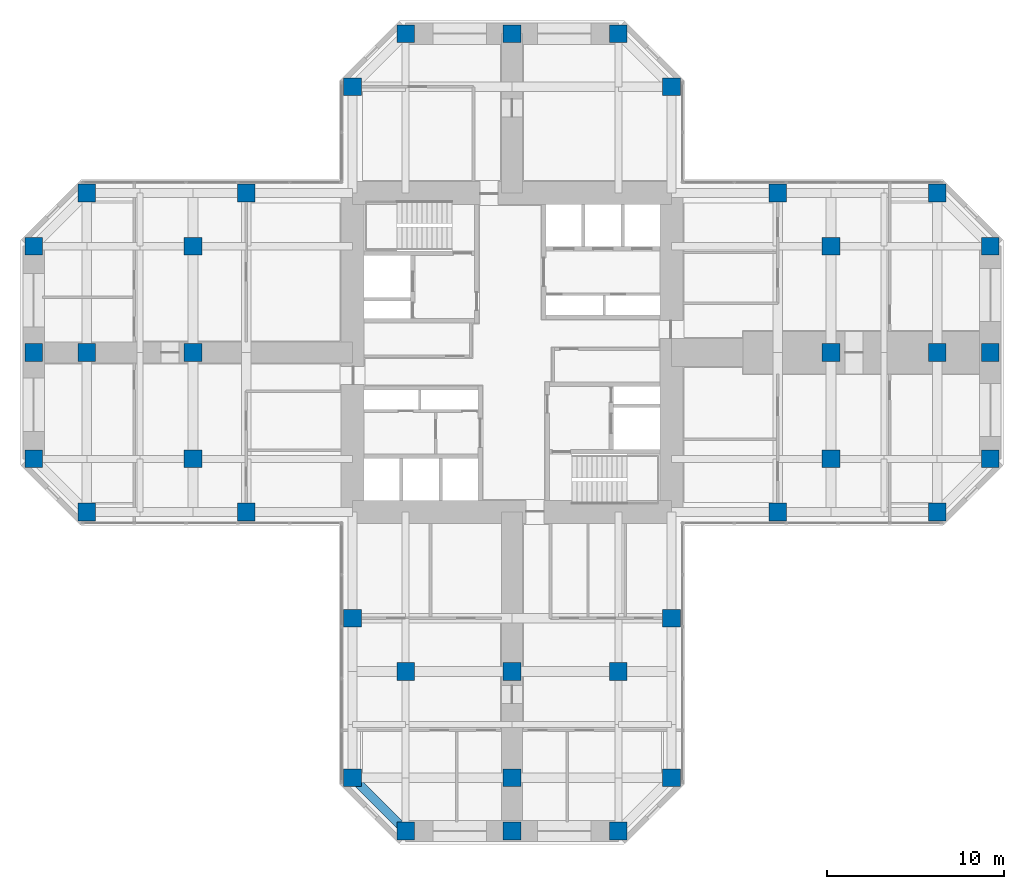
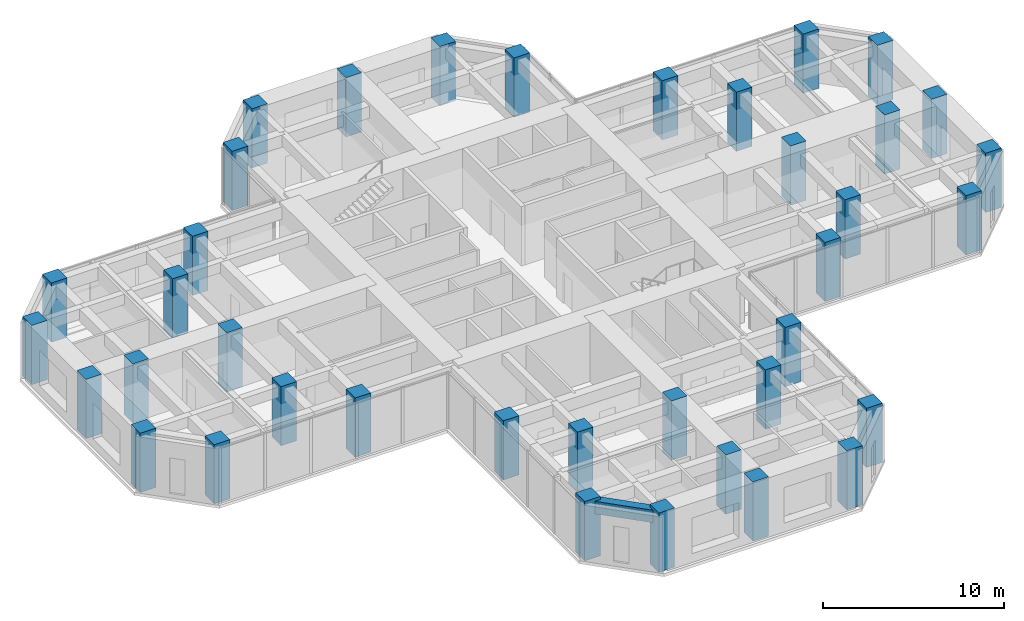
# One storey, part 1 of 13: 38 columns, 1 beam.
"""IFC4 building model written with IfcOpenShell, lengths in metres."""

import ifcopenshell
import ifcopenshell.guid

model = None  # the IFC model being written
_history = None  # IfcOwnerHistory: only IFC2X3 demands one
_inside = {}  # id of a spatial element -> (the spatial element, [elements in it])
_under = {}  # id of a project, library or spatial element -> (it, [spatial elements below it])
_declared = {}  # id of a project -> (the project, [libraries it declares])
_typed = {}  # id of a type object -> (the type object, [elements of that type])
_made_of = {}  # id of a material, layer set ... -> (it, [elements and type objects made of it])


def new_model(schema):
    """Start an empty IFC model of exactly this schema.

    Asked for "IFC4X3", IfcOpenShell would pick the latest addendum, in which some entities
    have other attributes; the version numbers below select the first issue.
    IFC2X3 requires an IfcOwnerHistory on every rooted entity: one is made here for all.
    """
    global model, _history
    if schema == "IFC4X3":
        model = ifcopenshell.file(schema_version=(4, 3, 0, 0))
    else:
        model = ifcopenshell.file(schema=schema)
    _inside.clear()
    _under.clear()
    _declared.clear()
    _typed.clear()
    _made_of.clear()
    _history = None
    if model.schema == "IFC2X3":
        org = make("IfcOrganization", Name="unknown")
        user = make(
            "IfcPersonAndOrganization",
            ThePerson=make("IfcPerson", FamilyName="unknown"),
            TheOrganization=org,
        )
        app = make(
            "IfcApplication",
            ApplicationDeveloper=org,
            Version="unknown",
            ApplicationFullName="unknown",
            ApplicationIdentifier="unknown",
        )
        _history = make(
            "IfcOwnerHistory",
            OwningUser=user,
            OwningApplication=app,
            ChangeAction="ADDED",
            CreationDate=0,
        )
    return model


def make(cls, **values):
    """One entity of the class cls with the attributes given. An attribute that is None is left unset."""
    return model.create_entity(
        cls, **{name: value for name, value in values.items() if value is not None}
    )


def rooted(cls, **values):
    """An entity with a GlobalId (a new one), such as an element, a storey or a relation."""
    return make(cls, GlobalId=ifcopenshell.guid.new(), OwnerHistory=_history, **values)


def si_unit(unit_type, name, prefix=None):
    """IfcSIUnit, for example si_unit("LENGTHUNIT", "METRE", prefix="MILLI")."""
    return make("IfcSIUnit", UnitType=unit_type, Prefix=prefix, Name=name)


def assignment(units):
    """IfcUnitAssignment: the units of a project."""
    return None if units is None else make("IfcUnitAssignment", Units=units)


def point(xyz):
    """IfcCartesianPoint."""
    return None if xyz is None else make("IfcCartesianPoint", Coordinates=xyz)


def direction(xyz):
    """IfcDirection."""
    return None if xyz is None else make("IfcDirection", DirectionRatios=xyz)


def frame(location, z_axis=None, x_axis=None):
    """IfcAxis2Placement3D, a coordinate frame: its origin and axes. An axis left out is left unset."""
    return make(
        "IfcAxis2Placement3D",
        Location=point(location),
        Axis=direction(z_axis),
        RefDirection=direction(x_axis),
    )


def frame_2d(location, x_axis=None):
    """IfcAxis2Placement2D, a coordinate frame in the plane: its origin and x axis."""
    return make(
        "IfcAxis2Placement2D", Location=point(location), RefDirection=direction(x_axis)
    )


def origin():
    """The frame at (0, 0, 0) with its axes left unset."""
    return frame((0.0, 0.0, 0.0))


def origin_2d():
    """The frame at (0, 0) in the plane with its x axis left unset."""
    return frame_2d((0.0, 0.0))


def place(relative_to, where):
    """IfcLocalPlacement: puts the frame where relative to a parent placement (None: the world)."""
    return make(
        "IfcLocalPlacement", PlacementRelTo=relative_to, RelativePlacement=where
    )


def context(
    kind, dimensions, precision=None, world=None, true_north=None, identifier=None
):
    """IfcGeometricRepresentationContext, for example the 3D "Model" context."""
    return make(
        "IfcGeometricRepresentationContext",
        ContextIdentifier=identifier,
        ContextType=kind,
        CoordinateSpaceDimension=dimensions,
        Precision=precision,
        WorldCoordinateSystem=world,
        TrueNorth=true_north,
    )


def subcontext(parent, identifier, kind, view, scale=None):
    """IfcGeometricRepresentationSubContext, for example "Body" below "Model"."""
    return make(
        "IfcGeometricRepresentationSubContext",
        ContextIdentifier=identifier,
        ContextType=kind,
        ParentContext=parent,
        TargetScale=scale,
        TargetView=view,
    )


def project(units=None, contexts=None):
    """IfcProject with its units and contexts."""
    return rooted(
        "IfcProject",
        Name="project",
        RepresentationContexts=contexts,
        UnitsInContext=assignment(units),
    )


def spatial(cls, under=None, at=None, **own):
    """A site, building, storey or space (cls), placed at a placement, below another one or the project."""
    s = rooted(cls, ObjectPlacement=at, **own)
    if under is not None:
        _under.setdefault(under.id(), (under, []))[1].append(s)
    return s


def profile(cls, at=None, kind="AREA", **sizes):
    """A parametric profile (cls). Its sizes go by their IFC names, for example OverallWidth=200.0."""
    return make(cls, ProfileType=kind, Position=at, **sizes)


def rectangle(**sizes):
    """IfcRectangleProfileDef."""
    return profile("IfcRectangleProfileDef", **sizes)


def extrude(swept, where, along, depth):
    """IfcExtrudedAreaSolid: the profile swept, set in the frame where, extruded along a direction by depth."""
    return make(
        "IfcExtrudedAreaSolid",
        SweptArea=swept,
        Position=where,
        ExtrudedDirection=direction(along),
        Depth=depth,
    )


def shape(context_of_items, identifier, shape_type, items):
    """IfcShapeRepresentation: the items that make up one representation, for example the "Body"."""
    return make(
        "IfcShapeRepresentation",
        ContextOfItems=context_of_items,
        RepresentationIdentifier=identifier,
        RepresentationType=shape_type,
        Items=items,
    )


def material(Name=None, Category=None):
    """IfcMaterial."""
    return make("IfcMaterial", Name=Name, Category=Category)


def material_profile(
    of_material, cross_section, Name=None, Category=None, Priority=None
):
    """IfcMaterialProfile: a cross section and its material."""
    return make(
        "IfcMaterialProfile",
        Name=Name,
        Material=of_material,
        Profile=cross_section,
        Priority=Priority,
        Category=Category,
    )


def profile_set(profiles, Name=None, composite=None):
    """IfcMaterialProfileSet."""
    return make(
        "IfcMaterialProfileSet",
        Name=Name,
        MaterialProfiles=profiles,
        CompositeProfile=composite,
    )


def made_of(thing, what):
    """Note that an element or type object is made of a material, layer set ...; save() writes the relation."""
    if what is not None:
        _made_of.setdefault(what.id(), (what, []))[1].append(thing)
    return thing


def type_object(cls, material=None, **own):
    """A type object (cls), such as IfcWallType, which elements share."""
    return made_of(rooted(cls, **own), material)


def element(
    cls,
    number,
    at=None,
    inside=None,
    cuts=None,
    type_object=None,
    material=None,
    context=None,
    identifier="Body",
    shape_type=None,
    held_by="IfcProductDefinitionShape",
    body=None,
    shapes=None,
    **own,
):
    """One element of the class cls, such as IfcWall. Its Tag is "e" and its number.

    at: its placement. inside: the storey or other place that contains it. cuts: it is an
    opening in that element (IfcRelVoidsElement). A single representation is given by context,
    identifier, shape_type and body (its items); several are given by shapes. held_by: the class
    of the entity that holds the representations. save() writes the other relations.
    """
    e = rooted(cls, Tag="e%d" % number, ObjectPlacement=at, **own)
    if body is not None:
        shapes = [shape(context, identifier, shape_type, body)]
    if shapes is not None:
        e.Representation = make(held_by, Representations=shapes)
    if inside is not None:
        _inside.setdefault(inside.id(), (inside, []))[1].append(e)
    if cuts is not None:
        rooted(
            "IfcRelVoidsElement", RelatingBuildingElement=cuts, RelatedOpeningElement=e
        )
    if type_object is not None:
        _typed.setdefault(type_object.id(), (type_object, []))[1].append(e)
    return made_of(e, material)


def aggregate(whole, parts):
    """IfcRelAggregates: a whole, such as a stair, and the parts it consists of."""
    return rooted("IfcRelAggregates", RelatingObject=whole, RelatedObjects=parts)


def save(model, path):
    """Write the relations noted so far, then the file.

    IfcRelAggregates (storeys below a building ...), IfcRelContainedInSpatialStructure (elements
    in a storey), IfcRelDefinesByType, IfcRelAssociatesMaterial and IfcRelDeclares: one each for
    every whole, place, type object, material and project.
    """
    for whole, parts in _under.values():
        aggregate(whole, parts)
    for where, things in _inside.values():
        rooted(
            "IfcRelContainedInSpatialStructure",
            RelatedElements=things,
            RelatingStructure=where,
        )
    for kind, things in _typed.values():
        rooted("IfcRelDefinesByType", RelatedObjects=things, RelatingType=kind)
    for what, things in _made_of.values():
        rooted("IfcRelAssociatesMaterial", RelatedObjects=things, RelatingMaterial=what)
    for by, libraries in _declared.values():
        rooted("IfcRelDeclares", RelatingContext=by, RelatedDefinitions=libraries)
    model.write(path)


model = new_model("IFC4")

# Units and contexts
model_context = context("Model", 3, precision=1e-05, world=origin(), true_north=direction((0.0, 1.0)))
body_context = subcontext(model_context, "Body", "Model", "MODEL_VIEW")
ifc_project = project(units=[si_unit("LENGTHUNIT", "METRE"), si_unit("AREAUNIT", "SQUARE_METRE"), si_unit("VOLUMEUNIT", "CUBIC_METRE"), si_unit("PLANEANGLEUNIT", "RADIAN"), si_unit("MASSUNIT", "GRAM", prefix="KILO")], contexts=[model_context])

# Site, building, storey
site_placement = place(None, origin())
site = spatial("IfcSite", under=ifc_project, at=site_placement, CompositionType="ELEMENT")
building_placement = place(site_placement, origin())
building = spatial("IfcBuilding", under=site, at=building_placement, Name="Torre Cruceta", CompositionType="ELEMENT")
storey_placement = place(building_placement, frame((0.0, 0.0, 156.5)))
storey = spatial("IfcBuildingStorey", under=building, at=storey_placement, Name="L38", CompositionType="ELEMENT", Elevation=156.5)

# Columns
ifc_material_1 = material(Name="Concrete G60 (fck 60 MPa)", Category="concrete")
ifc_material_profile_1 = material_profile(ifc_material_1, rectangle(XDim=1.0, YDim=1.0, at=origin_2d()), Name="RC 1000X1000")
ifc_profile_set_1 = profile_set([ifc_material_profile_1], Name="Concrete G60 (fck 60 MPa)")
column_type = type_object("IfcColumnType", Name="COLUMN RC 1000X1000", PredefinedType="COLUMN", material=ifc_profile_set_1)
for number, where, z_axis, x_axis, name in (
    (1, (9.0, 15.0, 0.0), (0.0, 0.0, 1.0), (1.0, 0.0, 0.0), "C5 L38 N chamfer"),
    (2, (-9.0, 15.0, 0.0), (0.0, 0.0, 1.0), (1.0, 0.0, 0.0), "C5 L38 N chamfer"),
    (3, (6.0, 18.0, 0.0), (0.0, 0.0, 1.0), (1.0, 0.0, 0.0), "C5 L38 N tip"),
    (4, (0.0, 18.0, 0.0), (0.0, 0.0, 1.0), (1.0, 0.0, 0.0), "C5 L38 N tip"),
    (5, (-6.0, 18.0, 0.0), (0.0, 0.0, 1.0), (1.0, 0.0, 0.0), "C5 L38 N tip"),
    (6, (15.0, -9.0, 0.0), (0.0, 0.0, 1.0), (1.0, 0.0, 0.0), "C5 L38 E side"),
    (7, (24.0, -9.0, 0.0), (0.0, 0.0, 1.0), (1.0, 0.0, 0.0), "C5 L38 E chamfer"),
    (8, (15.0, 9.0, 0.0), (0.0, 0.0, 1.0), (1.0, 0.0, 0.0), "C5 L38 E side"),
    (9, (24.0, 9.0, 0.0), (0.0, 0.0, 1.0), (1.0, 0.0, 0.0), "C5 L38 E chamfer"),
    (10, (27.0, -6.0, 0.0), (0.0, 0.0, 1.0), (1.0, 0.0, 0.0), "C5 L38 E tip"),
    (11, (27.0, 0.0, 0.0), (0.0, 0.0, 1.0), (1.0, 0.0, 0.0), "C5 L38 E tip"),
    (12, (27.0, 6.0, 0.0), (0.0, 0.0, 1.0), (1.0, 0.0, 0.0), "C5 L38 E tip"),
    (13, (-9.0, -15.0, 0.0), (0.0, 0.0, 1.0), (1.0, 0.0, 0.0), "C5 L38 S side"),
    (14, (-9.0, -24.0, 0.0), (0.0, 0.0, 1.0), (1.0, 0.0, 0.0), "C5 L38 S chamfer"),
    (15, (9.0, -15.0, 0.0), (0.0, 0.0, 1.0), (1.0, 0.0, 0.0), "C5 L38 S side"),
    (16, (9.0, -24.0, 0.0), (0.0, 0.0, 1.0), (1.0, 0.0, 0.0), "C5 L38 S chamfer"),
    (17, (-6.0, -27.0, 0.0), (0.0, 0.0, 1.0), (1.0, 0.0, 0.0), "C5 L38 S tip"),
    (18, (0.0, -27.0, 0.0), (0.0, 0.0, 1.0), (1.0, 0.0, 0.0), "C5 L38 S tip"),
    (19, (6.0, -27.0, 0.0), (0.0, 0.0, 1.0), (1.0, 0.0, 0.0), "C5 L38 S tip"),
    (20, (-15.0, 9.0, 0.0), (0.0, 0.0, 1.0), (1.0, 0.0, 0.0), "C5 L38 W side"),
    (21, (-24.0, 9.0, 0.0), (0.0, 0.0, 1.0), (1.0, 0.0, 0.0), "C5 L38 W chamfer"),
    (22, (-15.0, -9.0, 0.0), (0.0, 0.0, 1.0), (1.0, 0.0, 0.0), "C5 L38 W side"),
    (23, (-24.0, -9.0, 0.0), (0.0, 0.0, 1.0), (1.0, 0.0, 0.0), "C5 L38 W chamfer"),
    (24, (-27.0, 6.0, 0.0), (0.0, 0.0, 1.0), (1.0, 0.0, 0.0), "C5 L38 W tip"),
    (25, (-27.0, 0.0, 0.0), (0.0, 0.0, 1.0), (1.0, 0.0, 0.0), "C5 L38 W tip"),
    (26, (-27.0, -6.0, 0.0), (0.0, 0.0, 1.0), (1.0, 0.0, 0.0), "C5 L38 W tip"),
    (27, (18.0, -6.0, 0.0), (0.0, 0.0, 1.0), (1.0, 0.0, 0.0), "C5 L38 E interior"),
    (28, (18.0, 0.0, 0.0), (0.0, 0.0, 1.0), (1.0, 0.0, 0.0), "C5 L38 E interior"),
    (29, (18.0, 6.0, 0.0), (0.0, 0.0, 1.0), (1.0, 0.0, 0.0), "C5 L38 E interior"),
    (30, (24.0, 0.0, 0.0), (0.0, 0.0, 1.0), (1.0, 0.0, 0.0), "C5 L38 E interior"),
    (31, (-6.0, -18.0, 0.0), (0.0, 0.0, 1.0), (1.0, 0.0, 0.0), "C5 L38 S interior"),
    (32, (0.0, -18.0, 0.0), (0.0, 0.0, 1.0), (1.0, 0.0, 0.0), "C5 L38 S interior"),
    (33, (6.0, -18.0, 0.0), (0.0, 0.0, 1.0), (1.0, 0.0, 0.0), "C5 L38 S interior"),
    (34, (0.0, -24.0, 0.0), (0.0, 0.0, 1.0), (1.0, 0.0, 0.0), "C5 L38 S interior"),
    (35, (-18.0, 6.0, 0.0), (0.0, 0.0, 1.0), (1.0, 0.0, 0.0), "C5 L38 W interior"),
    (36, (-18.0, 0.0, 0.0), (0.0, 0.0, 1.0), (1.0, 0.0, 0.0), "C5 L38 W interior"),
    (37, (-18.0, -6.0, 0.0), (0.0, 0.0, 1.0), (1.0, 0.0, 0.0), "C5 L38 W interior"),
    (38, (-24.0, 0.0, 0.0), (0.0, 0.0, 1.0), (1.0, 0.0, 0.0), "C5 L38 W interior"),
):
    element("IfcColumn", number, at=place(storey_placement, frame(where, z_axis=z_axis, x_axis=x_axis)), inside=storey, type_object=column_type, Name=name, PredefinedType="COLUMN", context=body_context, shape_type="SweptSolid", body=[
        extrude(rectangle(XDim=1.0, YDim=1.0, at=origin_2d()), origin(), (0.0, 0.0, 1.0), 4.0),
    ])

# Beam
ifc_material_2 = material(Name="Concrete G60 (fck 60 MPa)", Category="concrete")
ifc_material_profile_2 = material_profile(ifc_material_2, rectangle(XDim=0.5, YDim=0.85009765625, at=origin_2d()), Name="RC 500X850")
ifc_profile_set_2 = profile_set([ifc_material_profile_2], Name="Concrete G60 (fck 60 MPa)")
beam_type = type_object("IfcBeamType", Name="SPANDREL BEAM RC 500X850", PredefinedType="SPANDREL", material=ifc_profile_set_2)
beam_placement = place(storey_placement, frame((-9.0, -24.0, 3.375), z_axis=(0.707106781187, -0.707106781187, 0.0), x_axis=(0.707106781187, 0.707106781187, 0.0)))
element("IfcBeam", 39, at=beam_placement, inside=storey, type_object=beam_type, Name="SB5 L38 S side- 5", PredefinedType="SPANDREL", context=body_context, shape_type="SweptSolid", body=[
    extrude(rectangle(XDim=0.5, YDim=0.85009765625, at=origin_2d()), origin(), (0.0, 0.0, 1.0), 4.24267578125),
])

save(model, "model.ifc")
